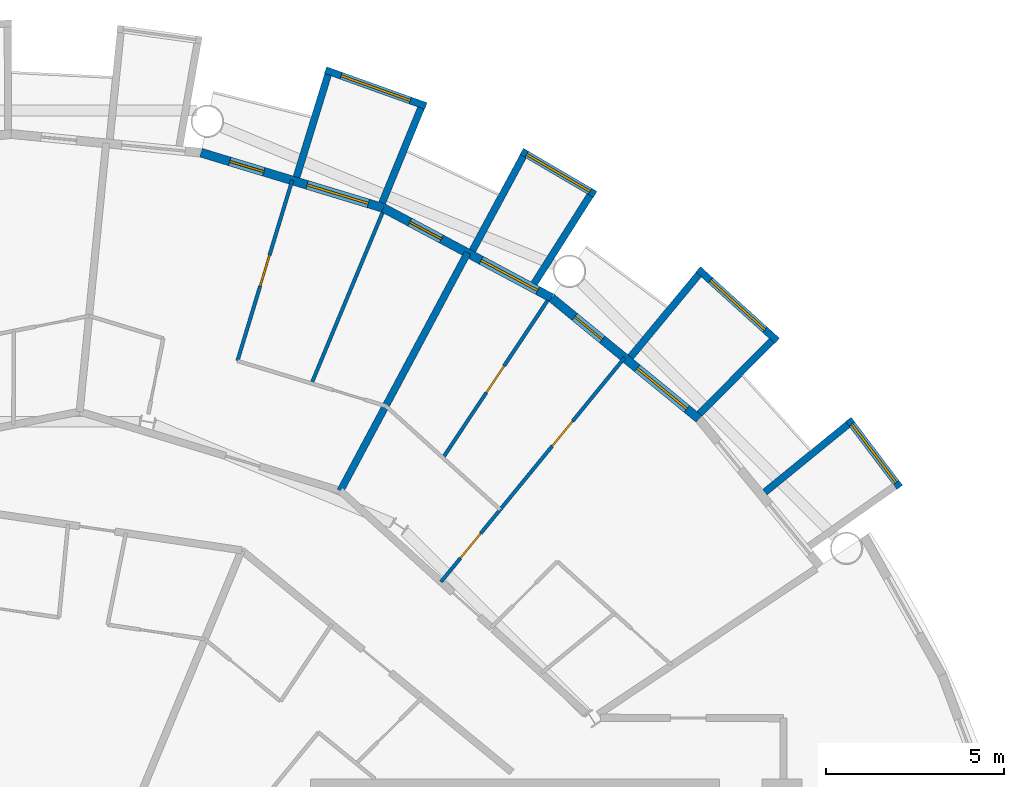
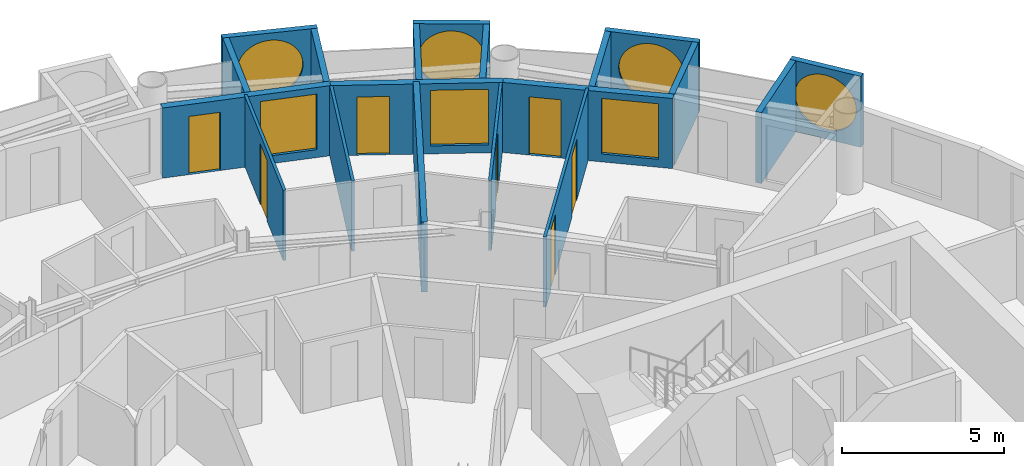
# One storey, part 23 of 27: 19 walls, 7 doors, 7 windows, 14 openings.
"""IFC4 building model written with IfcOpenShell, lengths in metres."""

from ifc_helpers import new_model, si_unit, direction, frame, frame_2d, origin, place, context, subcontext, project, spatial, rectangle, circle, extrude, material, layer, layer_set, type_object, element, fill, save


model = new_model("IFC4")

# Units and contexts
model_context = context("Model", 3, precision=1e-05, world=origin(), true_north=direction((0.0, 1.0)))
body_context = subcontext(model_context, "Body", "Model", "MODEL_VIEW")
ifc_project = project(units=[si_unit("LENGTHUNIT", "METRE"), si_unit("AREAUNIT", "SQUARE_METRE"), si_unit("VOLUMEUNIT", "CUBIC_METRE"), si_unit("PLANEANGLEUNIT", "RADIAN"), si_unit("MASSUNIT", "GRAM", prefix="KILO")], contexts=[model_context])

# Site, building, storey
site_placement = place(None, origin())
site = spatial("IfcSite", under=ifc_project, at=site_placement, CompositionType="ELEMENT")
building_placement = place(site_placement, origin())
building = spatial("IfcBuilding", under=site, at=building_placement, Name="Maasbend Ring Residences", CompositionType="ELEMENT")
storey_placement = place(building_placement, frame((0.0, 0.0, 136.050048828125)))
storey = spatial("IfcBuildingStorey", under=building, at=storey_placement, Name="L39", CompositionType="ELEMENT", Elevation=136.050048828125)

# Wall, opening, window
ifc_material_1 = material(Name="Pale anodised aluminium panel", Category="aluminium")
ifc_layer_1 = layer(ifc_material_1, 0.199951171875)
ifc_layer_set_1 = layer_set([ifc_layer_1], Name="EW-BOX")
wall_type_1 = type_object("IfcWallType", Name="EW-BOX", PredefinedType="SOLIDWALL", material=ifc_layer_set_1)
wall_1_placement = place(storey_placement, frame((24.93994140625, 17.382080078125, -0.030029296875), z_axis=(0.0, 0.0, 1.0), x_axis=(-0.603375996329, 0.797456837111, 0.0)))
wall_1 = element("IfcWall", 1, at=wall_1_placement, inside=storey, type_object=wall_type_1, Name="Box front N01", PredefinedType="SOLIDWALL", context=body_context, shape_type="SweptSolid", body=[
    extrude(rectangle(XDim=2.391357421875, YDim=0.199951171875, at=frame_2d((1.19580078125, 0.0))), origin(), (0.0, 0.0, 1.0), 2.679931640625),
])
opening_1_placement = place(wall_1_placement, frame((0.15576171875, 0.0, 0.330078125)))
opening_1 = element("IfcOpeningElement", 2, at=opening_1_placement, cuts=wall_1, Name="Opening W-RD", PredefinedType="OPENING", context=body_context, shape_type="SweptSolid", body=[
    extrude(circle(Radius=1.0400390625, at=frame_2d((1.0400390625, 1.0400390625))), frame((0.0, 0.10986328125, 0.0), z_axis=(0.0, -1.0, 0.0), x_axis=(1.0, 0.0, 0.0)), (0.0, 0.0, 1.0), 0.219970703125),
])
ifc_material_2 = material(Name="Aluminium and clear glass", Category="aluminium")
window_type_1 = type_object("IfcWindowType", Name="W-RD", PartitioningType="SINGLE_PANEL", PredefinedType="WINDOW", material=ifc_material_2)
window_1_placement = place(opening_1_placement, origin())
window_1 = element("IfcWindow", 3, at=window_1_placement, inside=storey, type_object=window_type_1, Name="Round window N01", OverallHeight=2.080078125, OverallWidth=2.080078125, PartitioningType="SINGLE_PANEL", PredefinedType="WINDOW", context=body_context, shape_type="SweptSolid", body=[
    extrude(circle(Radius=1.0400390625, at=frame_2d((1.0400390625, 1.0400390625))), frame((0.0, 0.030029296875, 0.0), z_axis=(0.0, -1.0, 0.0), x_axis=(1.0, 0.0, 0.0)), (0.0, 0.0, 1.0), 0.06005859375),
])
fill(opening_1, window_1)

# Wall
wall_2_placement = place(storey_placement, frame((21.155029296875, 17.24609375, -0.030029296875), z_axis=(0.0, 0.0, 1.0), x_axis=(0.775179004516, 0.631741648902, 0.0)))
element("IfcWall", 4, at=wall_2_placement, inside=storey, type_object=wall_type_1, Name="Box side wall N01 right", PredefinedType="SOLIDWALL", context=body_context, shape_type="SweptSolid", body=[
    extrude(rectangle(XDim=3.005859375, YDim=0.199951171875, at=frame_2d((1.5029296875, 0.0))), origin(), (0.0, 0.0, 1.0), 2.679931640625),
])

# Wall, opening, window
wall_3_placement = place(storey_placement, frame((21.5, 21.492919921875, -0.030029296875), z_axis=(0.0, 0.0, 1.0), x_axis=(-0.740998365753, 0.671506829416, 0.0)))
wall_3 = element("IfcWall", 5, at=wall_3_placement, inside=storey, type_object=wall_type_1, Name="Box front N03", PredefinedType="SOLIDWALL", context=body_context, shape_type="SweptSolid", body=[
    extrude(rectangle(XDim=2.9931640625, YDim=0.199951171875, at=frame_2d((1.49658203125, 0.0))), origin(), (0.0, 0.0, 1.0), 2.679931640625),
])
opening_2_placement = place(wall_3_placement, frame((0.45654296875, 0.0, 0.330078125)))
opening_2 = element("IfcOpeningElement", 6, at=opening_2_placement, cuts=wall_3, Name="Opening W-RD", PredefinedType="OPENING", context=body_context, shape_type="SweptSolid", body=[
    extrude(circle(Radius=1.0400390625, at=frame_2d((1.0400390625, 1.0400390625))), frame((0.0, 0.10986328125, 0.0), z_axis=(0.0, -1.0, 0.0), x_axis=(1.0, 0.0, 0.0)), (0.0, 0.0, 1.0), 0.219970703125),
])
window_2_placement = place(opening_2_placement, origin())
window_2 = element("IfcWindow", 7, at=window_2_placement, inside=storey, type_object=window_type_1, Name="Round window N03", OverallHeight=2.080078125, OverallWidth=2.080078125, PartitioningType="SINGLE_PANEL", PredefinedType="WINDOW", context=body_context, shape_type="SweptSolid", body=[
    extrude(circle(Radius=1.0400390625, at=frame_2d((1.0400390625, 1.0400390625))), frame((0.0, 0.030029296875, 0.0), z_axis=(0.0, -1.0, 0.0), x_axis=(1.0, 0.0, 0.0)), (0.0, 0.0, 1.0), 0.06005859375),
])
fill(opening_2, window_2)

# Walls
wall_4_placement = place(storey_placement, frame((19.322998046875, 19.449951171875, -0.030029296875), z_axis=(0.0, 0.0, 1.0), x_axis=(0.704476739375, 0.709727076896, 0.0)))
element("IfcWall", 8, at=wall_4_placement, inside=storey, type_object=wall_type_1, Name="Box side wall N03 left", PredefinedType="SOLIDWALL", context=body_context, shape_type="SweptSolid", body=[
    extrude(rectangle(XDim=2.883056640625, YDim=0.199951171875, at=frame_2d((1.44140625, 0.0))), origin(), (0.0, 0.0, 1.0), 2.679931640625),
])
wall_5_placement = place(storey_placement, frame((17.384033203125, 21.041015625, -0.030029296875), z_axis=(0.0, 0.0, 1.0), x_axis=(0.63709551667, 0.770784861449, 0.0)))
element("IfcWall", 9, at=wall_5_placement, inside=storey, type_object=wall_type_1, Name="Box side wall N03 right", PredefinedType="SOLIDWALL", context=body_context, shape_type="SweptSolid", body=[
    extrude(rectangle(XDim=3.005859375, YDim=0.199951171875, at=frame_2d((1.5029296875, 0.0))), origin(), (0.0, 0.0, 1.0), 2.679931640625),
])

# Wall, opening, window
wall_6_placement = place(storey_placement, frame((16.389892578125, 25.60302734375, -0.030029296875), z_axis=(0.0, 0.0, 1.0), x_axis=(-0.862762477128, 0.505609442218, 0.0)))
wall_6 = element("IfcWall", 10, at=wall_6_placement, inside=storey, type_object=wall_type_1, Name="Box front N05", PredefinedType="SOLIDWALL", context=body_context, shape_type="SweptSolid", body=[
    extrude(rectangle(XDim=2.39111328125, YDim=0.199951171875, at=frame_2d((1.195556640625, 0.0))), origin(), (0.0, 0.0, 1.0), 2.679931640625),
])
opening_3_placement = place(wall_6_placement, frame((0.15576171875, 0.0, 0.330078125)))
opening_3 = element("IfcOpeningElement", 11, at=opening_3_placement, cuts=wall_6, Name="Opening W-RD", PredefinedType="OPENING", context=body_context, shape_type="SweptSolid", body=[
    extrude(circle(Radius=1.0400390625, at=frame_2d((1.0400390625, 1.0400390625))), frame((0.0, 0.10986328125, 0.0), z_axis=(0.0, -1.0, 0.0), x_axis=(1.0, 0.0, 0.0)), (0.0, 0.0, 1.0), 0.219970703125),
])
window_3_placement = place(opening_3_placement, origin())
window_3 = element("IfcWindow", 12, at=window_3_placement, inside=storey, type_object=window_type_1, Name="Round window N05", OverallHeight=2.080078125, OverallWidth=2.080078125, PartitioningType="SINGLE_PANEL", PredefinedType="WINDOW", context=body_context, shape_type="SweptSolid", body=[
    extrude(circle(Radius=1.0400390625, at=frame_2d((1.0400390625, 1.0400390625))), frame((0.0, 0.030029296875, 0.0), z_axis=(0.0, -1.0, 0.0), x_axis=(1.0, 0.0, 0.0)), (0.0, 0.0, 1.0), 0.06005859375),
])
fill(opening_3, window_3)

# Walls
wall_7_placement = place(storey_placement, frame((14.677978515625, 23.10205078125, -0.030029296875), z_axis=(0.0, 0.0, 1.0), x_axis=(0.536001536573, 0.844217005746, 0.0)))
element("IfcWall", 13, at=wall_7_placement, inside=storey, type_object=wall_type_1, Name="Box side wall N05 left", PredefinedType="SOLIDWALL", context=body_context, shape_type="SweptSolid", body=[
    extrude(rectangle(XDim=2.92919921875, YDim=0.199951171875, at=frame_2d((1.464599609375, 0.0))), origin(), (0.0, 0.0, 1.0), 2.679931640625),
])
wall_8_placement = place(storey_placement, frame((12.945068359375, 24.029052734375, -0.030029296875), z_axis=(0.0, 0.0, 1.0), x_axis=(0.474424310775, 0.88029629861, 0.0)))
element("IfcWall", 14, at=wall_8_placement, inside=storey, type_object=wall_type_1, Name="Box side wall N05 right", PredefinedType="SOLIDWALL", context=body_context, shape_type="SweptSolid", body=[
    extrude(rectangle(XDim=3.005859375, YDim=0.199951171875, at=frame_2d((1.5029296875, 0.0))), origin(), (0.0, 0.0, 1.0), 2.679931640625),
])

# Wall, opening, window
wall_9_placement = place(storey_placement, frame((11.637939453125, 28.083984375, -0.030029296875), z_axis=(0.0, 0.0, 1.0), x_axis=(-0.941461077774, 0.337121697664, 0.0)))
wall_9 = element("IfcWall", 15, at=wall_9_placement, inside=storey, type_object=wall_type_1, Name="Box front N07", PredefinedType="SOLIDWALL", context=body_context, shape_type="SweptSolid", body=[
    extrude(rectangle(XDim=2.9931640625, YDim=0.199951171875, at=frame_2d((1.49658203125, 0.0))), origin(), (0.0, 0.0, 1.0), 2.679931640625),
])
opening_4_placement = place(wall_9_placement, frame((0.45654296875, 0.0, 0.330078125)))
opening_4 = element("IfcOpeningElement", 16, at=opening_4_placement, cuts=wall_9, Name="Opening W-RD", PredefinedType="OPENING", context=body_context, shape_type="SweptSolid", body=[
    extrude(circle(Radius=1.0400390625, at=frame_2d((1.0400390625, 1.0400390625))), frame((0.0, 0.10986328125, 0.0), z_axis=(0.0, -1.0, 0.0), x_axis=(1.0, 0.0, 0.0)), (0.0, 0.0, 1.0), 0.219970703125),
])
window_4_placement = place(opening_4_placement, origin())
window_4 = element("IfcWindow", 17, at=window_4_placement, inside=storey, type_object=window_type_1, Name="Round window N07", OverallHeight=2.080078125, OverallWidth=2.080078125, PartitioningType="SINGLE_PANEL", PredefinedType="WINDOW", context=body_context, shape_type="SweptSolid", body=[
    extrude(circle(Radius=1.0400390625, at=frame_2d((1.0400390625, 1.0400390625))), frame((0.0, 0.030029296875, 0.0), z_axis=(0.0, -1.0, 0.0), x_axis=(1.0, 0.0, 0.0)), (0.0, 0.0, 1.0), 0.06005859375),
])
fill(opening_4, window_4)

# Walls
wall_10_placement = place(storey_placement, frame((10.408935546875, 25.364013671875, -0.030029296875), z_axis=(0.0, 0.0, 1.0), x_axis=(0.379509886562, 0.925187681501, 0.0)))
element("IfcWall", 18, at=wall_10_placement, inside=storey, type_object=wall_type_1, Name="Box side wall N07 left", PredefinedType="SOLIDWALL", context=body_context, shape_type="SweptSolid", body=[
    extrude(rectangle(XDim=2.882568359375, YDim=0.199951171875, at=frame_2d((1.44140625, 0.0))), origin(), (0.0, 0.0, 1.0), 2.679931640625),
])
wall_11_placement = place(storey_placement, frame((8.009033203125, 26.092041015625, -0.030029296875), z_axis=(0.0, 0.0, 1.0), x_axis=(0.293406695073, 0.955987715029, 0.0)))
element("IfcWall", 19, at=wall_11_placement, inside=storey, type_object=wall_type_1, Name="Box side wall N07 right", PredefinedType="SOLIDWALL", context=body_context, shape_type="SweptSolid", body=[
    extrude(rectangle(XDim=3.00634765625, YDim=0.199951171875, at=frame_2d((1.503173828125, 0.0))), origin(), (0.0, 0.0, 1.0), 2.679931640625),
])

# Wall, openings, door, window
ifc_material_3 = material(Name="Aluminium clad insulated panel", Category="aluminium")
ifc_layer_2 = layer(ifc_material_3, 0.25)
ifc_layer_set_2 = layer_set([ifc_layer_2], Name="EW-GL")
wall_type_2 = type_object("IfcWallType", Name="EW-GL", PredefinedType="SOLIDWALL", material=ifc_layer_set_2)
wall_12_placement = place(storey_placement, frame((19.303955078125, 19.303955078125, 0.0), z_axis=(0.0, 0.0, 1.0), x_axis=(-0.773019449054, 0.634382322723, 0.0)))
wall_12 = element("IfcWall", 20, at=wall_12_placement, inside=storey, type_object=wall_type_2, Name="External wall N02", PredefinedType="SOLIDWALL", context=body_context, shape_type="SweptSolid", body=[
    extrude(rectangle(XDim=5.351806640625, YDim=0.25, at=frame_2d((2.67578125, 0.0))), origin(), (0.0, 0.0, 1.0), 2.64990234375),
])
opening_5_placement = place(wall_12_placement, frame((0.441162109375, 0.0, 0.300048828125)))
opening_5 = element("IfcOpeningElement", 21, at=opening_5_placement, cuts=wall_12, Name="Opening W-BX", PredefinedType="OPENING", context=body_context, shape_type="SweptSolid", body=[
    extrude(rectangle(XDim=1.800048828125, YDim=2.10009765625, at=frame_2d((0.89990234375, 1.050048828125))), frame((0.0, 0.135009765625, 0.0), z_axis=(0.0, -1.0, 0.0), x_axis=(1.0, 0.0, 0.0)), (0.0, 0.0, 1.0), 0.27001953125),
])
opening_6_placement = place(wall_12_placement, frame((3.510498046875, 0.0, 0.0)))
opening_6 = element("IfcOpeningElement", 22, at=opening_6_placement, cuts=wall_12, Name="Opening D-LG", PredefinedType="OPENING", context=body_context, shape_type="SweptSolid", body=[
    extrude(rectangle(XDim=1.0, YDim=2.199951171875, at=frame_2d((0.5, 1.10009765625))), frame((0.0, 0.135009765625, 0.0), z_axis=(0.0, -1.0, 0.0), x_axis=(1.0, 0.0, 0.0)), (0.0, 0.0, 1.0), 0.27001953125),
])
ifc_material_4 = material(Name="Aluminium and clear glass", Category="aluminium")
door_type_1 = type_object("IfcDoorType", Name="D-LG", OperationType="SINGLE_SWING_LEFT", PredefinedType="DOOR", material=ifc_material_4)
door_1_placement = place(opening_6_placement, origin())
door_1 = element("IfcDoor", 23, at=door_1_placement, inside=storey, type_object=door_type_1, Name="Loggia door N04", OperationType="SINGLE_SWING_LEFT", OverallHeight=2.199951171875, OverallWidth=1.0, PredefinedType="DOOR", context=body_context, shape_type="SweptSolid", body=[
    extrude(rectangle(XDim=1.0, YDim=2.199951171875, at=frame_2d((0.5, 1.10009765625))), frame((0.0, 0.02490234375, 0.0), z_axis=(0.0, -1.0, 0.0), x_axis=(1.0, 0.0, 0.0)), (0.0, 0.0, 1.0), 0.050048828125),
])
fill(opening_6, door_1)
ifc_material_5 = material(Name="Aluminium and clear glass", Category="aluminium")
window_type_2 = type_object("IfcWindowType", Name="W-BX", PartitioningType="DOUBLE_PANEL_VERTICAL", PredefinedType="WINDOW", material=ifc_material_5)
window_5_placement = place(opening_5_placement, origin())
window_5 = element("IfcWindow", 24, at=window_5_placement, inside=storey, type_object=window_type_2, Name="Window N03 room to box", OverallHeight=2.10009765625, OverallWidth=1.800048828125, PartitioningType="SINGLE_PANEL", PredefinedType="WINDOW", context=body_context, shape_type="SweptSolid", body=[
    extrude(rectangle(XDim=1.800048828125, YDim=2.10009765625, at=frame_2d((0.89990234375, 1.050048828125))), frame((0.0, 0.030029296875, 0.0), z_axis=(0.0, -1.0, 0.0), x_axis=(1.0, 0.0, 0.0)), (0.0, 0.0, 1.0), 0.06005859375),
])
fill(opening_5, window_5)

wall_13_placement = place(storey_placement, frame((15.1669921875, 22.698974609375, 0.0), z_axis=(0.0, 0.0, 1.0), x_axis=(-0.881915646801, 0.471407246368, 0.0)))
wall_13 = element("IfcWall", 25, at=wall_13_placement, inside=storey, type_object=wall_type_2, Name="External wall N03", PredefinedType="SOLIDWALL", context=body_context, shape_type="SweptSolid", body=[
    extrude(rectangle(XDim=5.35205078125, YDim=0.25, at=frame_2d((2.676025390625, 0.0))), origin(), (0.0, 0.0, 1.0), 2.64990234375),
])
opening_7_placement = place(wall_13_placement, frame((0.441162109375, 0.0, 0.300048828125)))
opening_7 = element("IfcOpeningElement", 26, at=opening_7_placement, cuts=wall_13, Name="Opening W-BX", PredefinedType="OPENING", context=body_context, shape_type="SweptSolid", body=[
    extrude(rectangle(XDim=1.800048828125, YDim=2.10009765625, at=frame_2d((0.89990234375, 1.050048828125))), frame((0.0, 0.135009765625, 0.0), z_axis=(0.0, -1.0, 0.0), x_axis=(1.0, 0.0, 0.0)), (0.0, 0.0, 1.0), 0.27001953125),
])
opening_8_placement = place(wall_13_placement, frame((3.510498046875, 0.0, 0.0)))
opening_8 = element("IfcOpeningElement", 27, at=opening_8_placement, cuts=wall_13, Name="Opening D-LG", PredefinedType="OPENING", context=body_context, shape_type="SweptSolid", body=[
    extrude(rectangle(XDim=1.0, YDim=2.199951171875, at=frame_2d((0.5, 1.10009765625))), frame((0.0, 0.135009765625, 0.0), z_axis=(0.0, -1.0, 0.0), x_axis=(1.0, 0.0, 0.0)), (0.0, 0.0, 1.0), 0.27001953125),
])
door_2_placement = place(opening_8_placement, origin())
door_2 = element("IfcDoor", 28, at=door_2_placement, inside=storey, type_object=door_type_1, Name="Loggia door N06", OperationType="SINGLE_SWING_LEFT", OverallHeight=2.199951171875, OverallWidth=1.0, PredefinedType="DOOR", context=body_context, shape_type="SweptSolid", body=[
    extrude(rectangle(XDim=1.0, YDim=2.199951171875, at=frame_2d((0.5, 1.10009765625))), frame((0.0, 0.02490234375, 0.0), z_axis=(0.0, -1.0, 0.0), x_axis=(1.0, 0.0, 0.0)), (0.0, 0.0, 1.0), 0.050048828125),
])
fill(opening_8, door_2)
window_6_placement = place(opening_7_placement, origin())
window_6 = element("IfcWindow", 29, at=window_6_placement, inside=storey, type_object=window_type_2, Name="Window N05 room to box", OverallHeight=2.10009765625, OverallWidth=1.800048828125, PartitioningType="SINGLE_PANEL", PredefinedType="WINDOW", context=body_context, shape_type="SweptSolid", body=[
    extrude(rectangle(XDim=1.800048828125, YDim=2.10009765625, at=frame_2d((0.89990234375, 1.050048828125))), frame((0.0, 0.030029296875, 0.0), z_axis=(0.0, -1.0, 0.0), x_axis=(1.0, 0.0, 0.0)), (0.0, 0.0, 1.0), 0.06005859375),
])
fill(opening_7, window_6)

wall_14_placement = place(storey_placement, frame((10.447021484375, 25.221923828125, 0.0), z_axis=(0.0, 0.0, 1.0), x_axis=(-0.956965678721, 0.290201119486, 0.0)))
wall_14 = element("IfcWall", 30, at=wall_14_placement, inside=storey, type_object=wall_type_2, Name="External wall N04", PredefinedType="SOLIDWALL", context=body_context, shape_type="SweptSolid", body=[
    extrude(rectangle(XDim=5.351318359375, YDim=0.25, at=frame_2d((2.67578125, 0.0))), origin(), (0.0, 0.0, 1.0), 2.64990234375),
])
opening_9_placement = place(wall_14_placement, frame((0.441162109375, 0.0, 0.300048828125)))
opening_9 = element("IfcOpeningElement", 31, at=opening_9_placement, cuts=wall_14, Name="Opening W-BX", PredefinedType="OPENING", context=body_context, shape_type="SweptSolid", body=[
    extrude(rectangle(XDim=1.800048828125, YDim=2.10009765625, at=frame_2d((0.89990234375, 1.050048828125))), frame((0.0, 0.135009765625, 0.0), z_axis=(0.0, -1.0, 0.0), x_axis=(1.0, 0.0, 0.0)), (0.0, 0.0, 1.0), 0.27001953125),
])
opening_10_placement = place(wall_14_placement, frame((3.510498046875, 0.0, 0.0)))
opening_10 = element("IfcOpeningElement", 32, at=opening_10_placement, cuts=wall_14, Name="Opening D-LG", PredefinedType="OPENING", context=body_context, shape_type="SweptSolid", body=[
    extrude(rectangle(XDim=1.0, YDim=2.199951171875, at=frame_2d((0.5, 1.10009765625))), frame((0.0, 0.135009765625, 0.0), z_axis=(0.0, -1.0, 0.0), x_axis=(1.0, 0.0, 0.0)), (0.0, 0.0, 1.0), 0.27001953125),
])
door_3_placement = place(opening_10_placement, origin())
door_3 = element("IfcDoor", 33, at=door_3_placement, inside=storey, type_object=door_type_1, Name="Loggia door N08", OperationType="SINGLE_SWING_LEFT", OverallHeight=2.199951171875, OverallWidth=1.0, PredefinedType="DOOR", context=body_context, shape_type="SweptSolid", body=[
    extrude(rectangle(XDim=1.0, YDim=2.199951171875, at=frame_2d((0.5, 1.10009765625))), frame((0.0, 0.02490234375, 0.0), z_axis=(0.0, -1.0, 0.0), x_axis=(1.0, 0.0, 0.0)), (0.0, 0.0, 1.0), 0.050048828125),
])
fill(opening_10, door_3)
window_7_placement = place(opening_9_placement, origin())
window_7 = element("IfcWindow", 34, at=window_7_placement, inside=storey, type_object=window_type_2, Name="Window N07 room to box", OverallHeight=2.10009765625, OverallWidth=1.800048828125, PartitioningType="SINGLE_PANEL", PredefinedType="WINDOW", context=body_context, shape_type="SweptSolid", body=[
    extrude(rectangle(XDim=1.800048828125, YDim=2.10009765625, at=frame_2d((0.89990234375, 1.050048828125))), frame((0.0, 0.030029296875, 0.0), z_axis=(0.0, -1.0, 0.0), x_axis=(1.0, 0.0, 0.0)), (0.0, 0.0, 1.0), 0.06005859375),
])
fill(opening_9, window_7)

# Wall, opening, door
ifc_material_6 = material(Name="Gypsum board on steel studs", Category="steel")
ifc_layer_3 = layer(ifc_material_6, 0.10009765625)
ifc_layer_set_3 = layer_set([ifc_layer_3], Name="PARTITION 100 GYPSUM")
wall_type_3 = type_object("IfcWallType", Name="PARTITION 100 GYPSUM", PredefinedType="PARTITIONING", material=ifc_layer_set_3)
wall_15_placement = place(storey_placement, frame((6.34912109375, 20.929931640625, 0.0), z_axis=(0.0, 0.0, 1.0), x_axis=(0.290172218727, 0.956974442438, 0.0)))
wall_15 = element("IfcWall", 35, at=wall_15_placement, inside=storey, type_object=wall_type_3, Name="U-L39-w077", PredefinedType="PARTITIONING", context=body_context, shape_type="SweptSolid", body=[
    extrude(rectangle(XDim=5.30322265625, YDim=0.10009765625, at=frame_2d((2.651611328125, 0.0))), origin(), (0.0, 0.0, 1.0), 2.64990234375),
])
opening_11_placement = place(wall_15_placement, frame((2.201904296875, 0.0, 0.0)))
opening_11 = element("IfcOpeningElement", 36, at=opening_11_placement, cuts=wall_15, Name="Opening D-3909", PredefinedType="OPENING", context=body_context, shape_type="SweptSolid", body=[
    extrude(rectangle(XDim=0.89990234375, YDim=2.300048828125, at=frame_2d((0.449951171875, 1.14990234375))), frame((0.0, 0.06005859375, 0.0), z_axis=(0.0, -1.0, 0.0), x_axis=(1.0, 0.0, 0.0)), (0.0, 0.0, 1.0), 0.1201171875),
])
ifc_material_7 = material(Name="Timber, painted", Category="wood")
door_type_2 = type_object("IfcDoorType", Name="INTERNAL DOOR 900 X 2300", OperationType="NOTDEFINED", PredefinedType="DOOR", material=ifc_material_7)
door_4_placement = place(opening_11_placement, origin())
door_4 = element("IfcDoor", 37, at=door_4_placement, inside=storey, type_object=door_type_2, Name="D-3909", OperationType="SINGLE_SWING_RIGHT", OverallHeight=2.300048828125, OverallWidth=0.89990234375, PredefinedType="DOOR", context=body_context, shape_type="SweptSolid", body=[
    extrude(rectangle(XDim=0.89990234375, YDim=2.300048828125, at=frame_2d((0.449951171875, 1.14990234375))), frame((0.0, 0.02490234375, 0.0), z_axis=(0.0, -1.0, 0.0), x_axis=(1.0, 0.0, 0.0)), (0.0, 0.0, 1.0), 0.050048828125),
])
fill(opening_11, door_4)

# Wall
wall_16_placement = place(storey_placement, frame((8.430908203125, 20.298095703125, 0.0), z_axis=(0.0, 0.0, 1.0), x_axis=(0.383480536297, 0.923548958248, 0.0)))
element("IfcWall", 38, at=wall_16_placement, inside=storey, type_object=wall_type_3, Name="U-L39-w081", PredefinedType="PARTITIONING", context=body_context, shape_type="SweptSolid", body=[
    extrude(rectangle(XDim=5.195068359375, YDim=0.10009765625, at=frame_2d((2.59765625, 0.0))), origin(), (0.0, 0.0, 1.0), 2.64990234375),
])

# Wall, openings, doors
wall_17_placement = place(storey_placement, frame((12.06201171875, 14.72705078125, 0.0), z_axis=(0.0, 0.0, 1.0), x_axis=(0.633664062855, 0.773608334654, 0.0)))
wall_17 = element("IfcWall", 39, at=wall_17_placement, inside=storey, type_object=wall_type_3, Name="U-L39-w087", PredefinedType="PARTITIONING", context=body_context, shape_type="SweptSolid", body=[
    extrude(rectangle(XDim=8.138427734375, YDim=0.10009765625, at=frame_2d((4.0693359375, 0.0))), origin(), (0.0, 0.0, 1.0), 2.64990234375),
])
opening_12_placement = place(wall_17_placement, frame((0.861083984375, 0.0, 0.0)))
opening_12 = element("IfcOpeningElement", 40, at=opening_12_placement, cuts=wall_17, Name="Opening D-3904", PredefinedType="OPENING", context=body_context, shape_type="SweptSolid", body=[
    extrude(rectangle(XDim=0.89990234375, YDim=2.300048828125, at=frame_2d((0.449951171875, 1.14990234375))), frame((0.0, 0.06005859375, 0.0), z_axis=(0.0, -1.0, 0.0), x_axis=(1.0, 0.0, 0.0)), (0.0, 0.0, 1.0), 0.1201171875),
])
opening_13_placement = place(wall_17_placement, frame((4.931884765625, 0.0, 0.0)))
opening_13 = element("IfcOpeningElement", 41, at=opening_13_placement, cuts=wall_17, Name="Opening D-3905", PredefinedType="OPENING", context=body_context, shape_type="SweptSolid", body=[
    extrude(rectangle(XDim=0.89990234375, YDim=2.300048828125, at=frame_2d((0.449951171875, 1.14990234375))), frame((0.0, 0.06005859375, 0.0), z_axis=(0.0, -1.0, 0.0), x_axis=(1.0, 0.0, 0.0)), (0.0, 0.0, 1.0), 0.1201171875),
])
door_5_placement = place(opening_12_placement, origin())
door_5 = element("IfcDoor", 42, at=door_5_placement, inside=storey, type_object=door_type_2, Name="D-3904", OperationType="SINGLE_SWING_LEFT", OverallHeight=2.300048828125, OverallWidth=0.89990234375, PredefinedType="DOOR", context=body_context, shape_type="SweptSolid", body=[
    extrude(rectangle(XDim=0.89990234375, YDim=2.300048828125, at=frame_2d((0.449951171875, 1.14990234375))), frame((0.0, 0.02490234375, 0.0), z_axis=(0.0, -1.0, 0.0), x_axis=(1.0, 0.0, 0.0)), (0.0, 0.0, 1.0), 0.050048828125),
])
fill(opening_12, door_5)
door_6_placement = place(opening_13_placement, origin())
door_6 = element("IfcDoor", 43, at=door_6_placement, inside=storey, type_object=door_type_2, Name="D-3905", OperationType="SINGLE_SWING_RIGHT", OverallHeight=2.300048828125, OverallWidth=0.89990234375, PredefinedType="DOOR", context=body_context, shape_type="SweptSolid", body=[
    extrude(rectangle(XDim=0.89990234375, YDim=2.300048828125, at=frame_2d((0.449951171875, 1.14990234375))), frame((0.0, 0.02490234375, 0.0), z_axis=(0.0, -1.0, 0.0), x_axis=(1.0, 0.0, 0.0)), (0.0, 0.0, 1.0), 0.050048828125),
])
fill(opening_13, door_6)

# Wall, opening, door
wall_18_placement = place(storey_placement, frame((12.117919921875, 18.2109375, 0.0), z_axis=(0.0, 0.0, 1.0), x_axis=(0.553913391217, 0.832574294, 0.0)))
wall_18 = element("IfcWall", 44, at=wall_18_placement, inside=storey, type_object=wall_type_3, Name="U-L39-w089", PredefinedType="PARTITIONING", context=body_context, shape_type="SweptSolid", body=[
    extrude(rectangle(XDim=5.300537109375, YDim=0.10009765625, at=frame_2d((2.650390625, 0.0))), origin(), (0.0, 0.0, 1.0), 2.64990234375),
])
opening_14_placement = place(wall_18_placement, frame((2.199951171875, 0.0, 0.0)))
opening_14 = element("IfcOpeningElement", 45, at=opening_14_placement, cuts=wall_18, Name="Opening D-3906", PredefinedType="OPENING", context=body_context, shape_type="SweptSolid", body=[
    extrude(rectangle(XDim=0.89990234375, YDim=2.300048828125, at=frame_2d((0.449951171875, 1.14990234375))), frame((0.0, 0.06005859375, 0.0), z_axis=(0.0, -1.0, 0.0), x_axis=(1.0, 0.0, 0.0)), (0.0, 0.0, 1.0), 0.1201171875),
])
door_7_placement = place(opening_14_placement, origin())
door_7 = element("IfcDoor", 46, at=door_7_placement, inside=storey, type_object=door_type_2, Name="D-3906", OperationType="SINGLE_SWING_LEFT", OverallHeight=2.300048828125, OverallWidth=0.89990234375, PredefinedType="DOOR", context=body_context, shape_type="SweptSolid", body=[
    extrude(rectangle(XDim=0.89990234375, YDim=2.300048828125, at=frame_2d((0.449951171875, 1.14990234375))), frame((0.0, 0.02490234375, 0.0), z_axis=(0.0, -1.0, 0.0), x_axis=(1.0, 0.0, 0.0)), (0.0, 0.0, 1.0), 0.050048828125),
])
fill(opening_14, door_7)

# Wall
ifc_material_8 = material(Name="Concrete C30/37", Category="concrete")
ifc_layer_4 = layer(ifc_material_8, 0.199951171875)
ifc_layer_set_4 = layer_set([ifc_layer_4], Name="Concrete C30/37")
wall_type_4 = type_object("IfcWallType", Name="PARTY WALL 200 CONCRETE", PredefinedType="PARTITIONING", material=ifc_layer_set_4)
wall_19_placement = place(storey_placement, frame((9.239013671875, 17.285888671875, 0.0), z_axis=(0.0, 0.0, 1.0), x_axis=(0.471439510802, 0.881898399848, 0.0)))
element("IfcWall", 47, at=wall_19_placement, inside=storey, type_object=wall_type_4, Name="U-L39-w083", PredefinedType="PARTITIONING", context=body_context, shape_type="SweptSolid", body=[
    extrude(rectangle(XDim=7.57470703125, YDim=0.199951171875, at=frame_2d((3.787353515625, 0.0))), origin(), (0.0, 0.0, 1.0), 2.64990234375),
])

save(model, "model.ifc")
